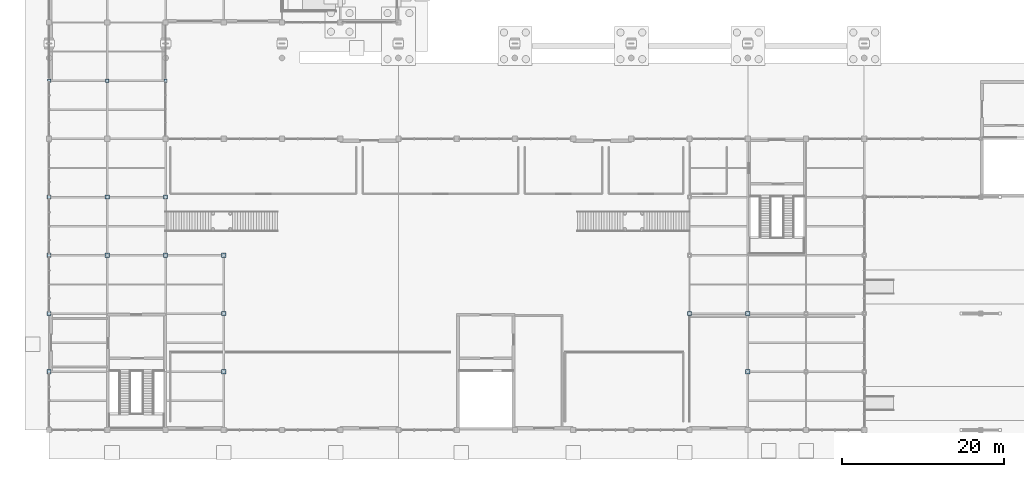
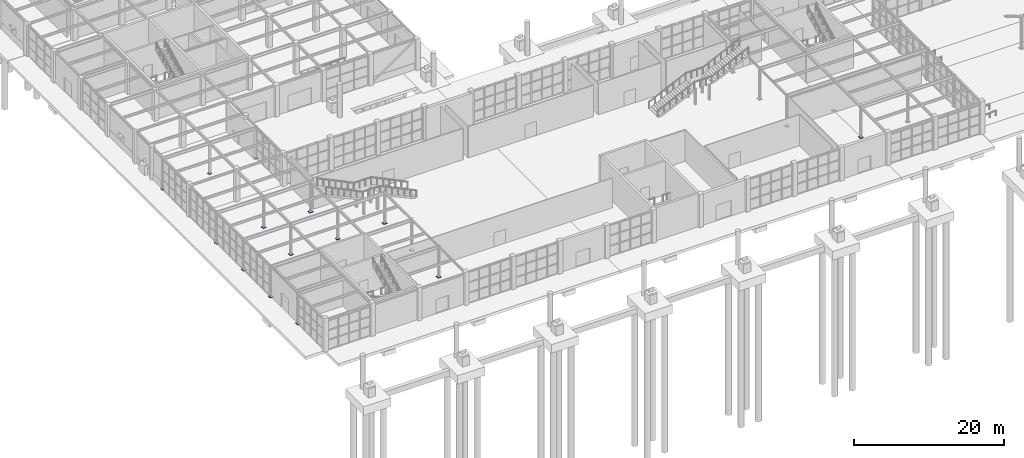
# One storey, part 52 of 75: 17 plates.
"""IFC4 building model written with IfcOpenShell, lengths in metres."""

from ifc_helpers import new_model, si_unit, direction, frame, origin, origin_2d, place, context, subcontext, project, spatial, rectangle, extrude, material, layer, layer_set, type_object, element, save


model = new_model("IFC4")

# Units and contexts
model_context = context("Model", 3, precision=1e-05, world=origin(), true_north=direction((0.0, 1.0)))
body_context = subcontext(model_context, "Body", "Model", "MODEL_VIEW")
ifc_project = project(units=[si_unit("LENGTHUNIT", "METRE"), si_unit("AREAUNIT", "SQUARE_METRE"), si_unit("VOLUMEUNIT", "CUBIC_METRE"), si_unit("PLANEANGLEUNIT", "RADIAN"), si_unit("MASSUNIT", "GRAM", prefix="KILO")], contexts=[model_context])

# Site, building, storey
site_placement = place(None, origin())
site = spatial("IfcSite", under=ifc_project, at=site_placement, CompositionType="ELEMENT")
building_placement = place(site_placement, origin())
building = spatial("IfcBuilding", under=site, at=building_placement, Name="Leyfeld Transit Interchange", CompositionType="ELEMENT")
storey_placement = place(building_placement, origin())
storey = spatial("IfcBuildingStorey", under=building, at=storey_placement, Name="L00", CompositionType="ELEMENT", Elevation=0.0)

# Plates
ifc_material = material(Name="Steel S355J2", Category="steel")
ifc_layer_1 = layer(ifc_material, 0.028076171875, Name="Steel S355J2")
ifc_layer_set_1 = layer_set([ifc_layer_1], Name="Steel S355J2")
plate_type_1 = type_object("IfcPlateType", Name="PLT-BASE-28", PredefinedType="USERDEFINED", material=ifc_layer_set_1)
for number, where, z_axis, x_axis, name in (
    (1, (0.0, 57.60009765625, 0.0), (0.0, 0.0, 1.0), (1.0, 0.0, 0.0), "Column Baseplate 0026"),
    (2, (7.199951171875, 57.60009765625, 0.0), (0.0, 0.0, 1.0), (1.0, 0.0, 0.0), "Column Baseplate 0109"),
    (3, (14.39990234375, 57.60009765625, 0.0), (0.0, 0.0, 1.0), (1.0, 0.0, 0.0), "Column Baseplate 0188"),
):
    element("IfcPlate", number, at=place(storey_placement, frame(where, z_axis=z_axis, x_axis=x_axis)), inside=storey, type_object=plate_type_1, Name=name, ObjectType="BASE_PLATE", PredefinedType="USERDEFINED", context=body_context, shape_type="SweptSolid", body=[
        extrude(rectangle(XDim=0.409912109375, YDim=0.409912109375, at=origin_2d()), origin(), (0.0, 0.0, 1.0), 0.028076171875),
    ])
ifc_layer_2 = layer(ifc_material, 0.031982421875, Name="Steel S355J2")
ifc_layer_set_2 = layer_set([ifc_layer_2], Name="Steel S355J2")
plate_type_2 = type_object("IfcPlateType", Name="PLT-BASE-32", PredefinedType="USERDEFINED", material=ifc_layer_set_2)
for number, where, z_axis, x_axis, name in (
    (4, (0.0, 21.60009765625, 0.0), (0.0, 0.0, 1.0), (1.0, 0.0, 0.0), "Column Baseplate 0010"),
    (5, (0.0, 28.800048828125, 0.0), (0.0, 0.0, 1.0), (1.0, 0.0, 0.0), "Column Baseplate 0013"),
    (6, (0.0, 36.0, 0.0), (0.0, 0.0, 1.0), (1.0, 0.0, 0.0), "Column Baseplate 0016"),
    (7, (0.0, 43.199951171875, 0.0), (0.0, 0.0, 1.0), (1.0, 0.0, 0.0), "Column Baseplate 0019"),
    (8, (7.199951171875, 36.0, 0.0), (0.0, 0.0, 1.0), (1.0, 0.0, 0.0), "Column Baseplate 0099"),
    (9, (7.199951171875, 43.199951171875, 0.0), (0.0, 0.0, 1.0), (1.0, 0.0, 0.0), "Column Baseplate 0102"),
    (10, (14.39990234375, 36.0, 0.0), (0.0, 0.0, 1.0), (1.0, 0.0, 0.0), "Column Baseplate 0178"),
    (11, (14.39990234375, 43.199951171875, 0.0), (0.0, 0.0, 1.0), (1.0, 0.0, 0.0), "Column Baseplate 0181"),
    (12, (21.60009765625, 21.60009765625, 0.0), (0.0, 0.0, 1.0), (1.0, 0.0, 0.0), "Column Baseplate 0249"),
    (13, (21.60009765625, 28.800048828125, 0.0), (0.0, 0.0, 1.0), (1.0, 0.0, 0.0), "Column Baseplate 0252"),
    (14, (21.60009765625, 36.0, 0.0), (0.0, 0.0, 1.0), (1.0, 0.0, 0.0), "Column Baseplate 0255"),
    (15, (79.199951171875, 28.800048828125, 0.0), (0.0, 0.0, 1.0), (1.0, 0.0, 0.0), "Column Baseplate 0582"),
    (16, (86.39990234375, 21.60009765625, 0.0), (0.0, 0.0, 1.0), (1.0, 0.0, 0.0), "Column Baseplate 0602"),
    (17, (86.39990234375, 28.800048828125, 0.0), (0.0, 0.0, 1.0), (1.0, 0.0, 0.0), "Column Baseplate 0605"),
):
    element("IfcPlate", number, at=place(storey_placement, frame(where, z_axis=z_axis, x_axis=x_axis)), inside=storey, type_object=plate_type_2, Name=name, ObjectType="BASE_PLATE", PredefinedType="USERDEFINED", context=body_context, shape_type="SweptSolid", body=[
        extrude(rectangle(XDim=0.51611328125, YDim=0.51611328125, at=origin_2d()), origin(), (0.0, 0.0, 1.0), 0.031982421875),
    ])

save(model, "model.ifc")
